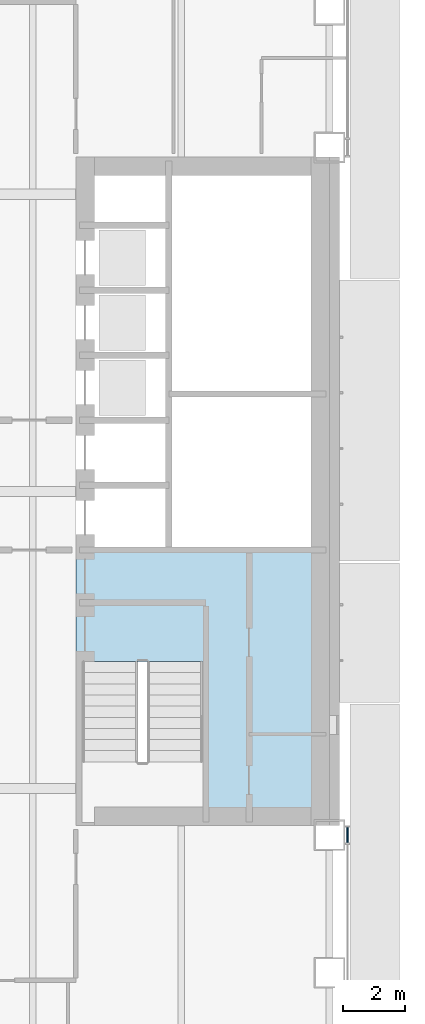
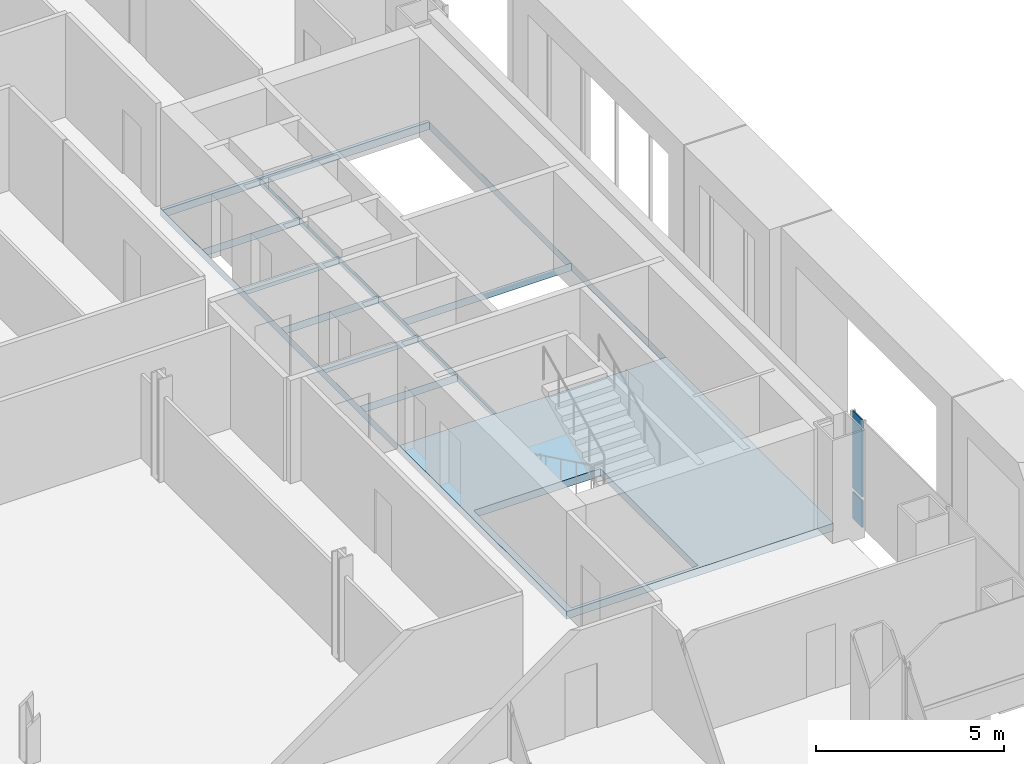
# One storey, part 13 of 25: 2 plates, 1 slab, 1 element without a shape of its own.
"""IFC4 building model written with IfcOpenShell, lengths in metres."""

from ifc_helpers import new_model, si_unit, direction, frame, origin, origin_2d, place, context, subcontext, project, spatial, polyline, rectangle, outline, extrude, material, layer, layer_set, type_object, element, aggregate, save


model = new_model("IFC4")

# Units and contexts
model_context = context("Model", 3, precision=1e-05, world=origin(), true_north=direction((0.0, 1.0)))
body_context = subcontext(model_context, "Body", "Model", "MODEL_VIEW")
ifc_project = project(units=[si_unit("LENGTHUNIT", "METRE"), si_unit("AREAUNIT", "SQUARE_METRE"), si_unit("VOLUMEUNIT", "CUBIC_METRE"), si_unit("PLANEANGLEUNIT", "RADIAN"), si_unit("MASSUNIT", "GRAM", prefix="KILO")], contexts=[model_context])

# Site, building, storey
site_placement = place(None, origin())
site = spatial("IfcSite", under=ifc_project, at=site_placement, CompositionType="ELEMENT")
building_placement = place(site_placement, origin())
building = spatial("IfcBuilding", under=site, at=building_placement, Name="Cobrizo Arcos Hotel Tower", CompositionType="ELEMENT")
storey_placement = place(building_placement, frame((0.0, 0.0, 46.0)))
storey = spatial("IfcBuildingStorey", under=building, at=storey_placement, Name="L09", CompositionType="ELEMENT", Elevation=46.0)

# Curtain wall, plates
ifc_material_1 = material(Name="Aluminium 6063-T6 anodised bronze", Category="aluminium")
curtain_wall_type = type_object("IfcCurtainWallType", Name="CW-A guest facade", PredefinedType="NOTDEFINED", material=ifc_material_1)
curtain_wall_placement = place(storey_placement, origin())
curtain_wall = element("IfcCurtainWall", 1, at=curtain_wall_placement, inside=storey, type_object=curtain_wall_type, Name="CW-A L09 E face", PredefinedType="NOTDEFINED")
ifc_material_2 = material(Name="Glass clear laminated low-e", Category="glass")
ifc_layer_1 = layer(ifc_material_2, 0.0400390625)
ifc_layer_set_1 = layer_set([ifc_layer_1], Name="CW-A glass panel")
plate_type_1 = type_object("IfcPlateType", Name="CW-A glass panel", PredefinedType="CURTAIN_PANEL", material=ifc_layer_set_1)
plate_1_placement = place(storey_placement, frame((24.574951171875, -11.109375, 0.990234375), z_axis=(0.0, 0.0, 1.0), x_axis=(0.0, 1.0, 0.0)))
plate_1 = element("IfcPlate", 2, at=plate_1_placement, type_object=plate_type_1, Name="CW-A glass panel 450", PredefinedType="CURTAIN_PANEL", context=body_context, shape_type="SweptSolid", body=[
    extrude(rectangle(XDim=0.498779296875, YDim=0.0400390625, at=origin_2d()), origin(), (0.0, 0.0, 1.0), 2.510009765625),
])
ifc_material_3 = material(Name="Aluminium composite panel pale metal", Category="aluminium")
ifc_layer_2 = layer(ifc_material_3, 0.0400390625)
ifc_layer_set_2 = layer_set([ifc_layer_2], Name="CW-A spandrel panel")
plate_type_2 = type_object("IfcPlateType", Name="CW-A spandrel panel", PredefinedType="CURTAIN_PANEL", material=ifc_layer_set_2)
plate_2_placement = place(storey_placement, frame((24.574951171875, -11.109375, 0.0), z_axis=(0.0, 0.0, 1.0), x_axis=(0.0, 1.0, 0.0)))
plate_2 = element("IfcPlate", 3, at=plate_2_placement, type_object=plate_type_2, Name="CW-A spandrel panel 450", PredefinedType="CURTAIN_PANEL", context=body_context, shape_type="SweptSolid", body=[
    extrude(rectangle(XDim=0.498779296875, YDim=0.0400390625, at=origin_2d()), origin(), (0.0, 0.0, 1.0), 0.8701171875),
])
aggregate(curtain_wall, [plate_2, plate_1])

# Slab
ifc_material_4 = material(Name="Concrete f'c 60 MPa", Category="concrete")
ifc_layer_3 = layer(ifc_material_4, 0.25)
ifc_layer_set_3 = layer_set([ifc_layer_3], Name="RC core floor slab 250 f'c 60")
slab_type = type_object("IfcSlabType", Name="RC core floor slab 250 f'c 60", PredefinedType="FLOOR", material=ifc_layer_set_3)
slab_placement = place(storey_placement, frame((0.0, 0.0, -0.25)))
element("IfcSlab", 4, at=slab_placement, inside=storey, type_object=slab_type, Name="Core floor slab CS3, east core, L09", PredefinedType="FLOOR", context=body_context, shape_type="SweptSolid", body=[
    extrude(outline(polyline([(15.800048828125, 10.800048828125), (24.0, 10.800048828125), (24.0, -10.800048828125), (15.800048828125, -10.800048828125), (15.800048828125, 10.800048828125)]), holes=[polyline([(19.89794921875, -10.697998046875), (19.89794921875, -5.501953125), (16.001953125, -5.501953125), (16.001953125, -10.697998046875), (19.89794921875, -10.697998046875)]), polyline([(18.798095703125, 0.197998046875), (15.802001953125, 0.197998046875), (15.802001953125, -1.89794921875), (18.798095703125, -1.89794921875), (18.798095703125, 0.197998046875)]), polyline([(23.998046875, 3.137939453125), (18.802001953125, 3.137939453125), (18.802001953125, -1.89794921875), (23.998046875, -1.89794921875), (23.998046875, 3.137939453125)]), polyline([(18.798095703125, 2.298095703125), (15.802001953125, 2.298095703125), (15.802001953125, 0.201904296875), (18.798095703125, 0.201904296875), (18.798095703125, 2.298095703125)]), polyline([(18.798095703125, 4.39794921875), (15.802001953125, 4.39794921875), (15.802001953125, 2.302001953125), (18.798095703125, 2.302001953125), (18.798095703125, 4.39794921875)]), polyline([(18.798095703125, 6.498046875), (15.802001953125, 6.498046875), (15.802001953125, 4.402099609375), (18.798095703125, 4.402099609375), (18.798095703125, 6.498046875)]), polyline([(23.998046875, 10.697998046875), (18.802001953125, 10.697998046875), (18.802001953125, 3.14208984375), (23.998046875, 3.14208984375), (23.998046875, 10.697998046875)]), polyline([(18.798095703125, 8.597900390625), (15.802001953125, 8.597900390625), (15.802001953125, 6.501953125), (18.798095703125, 6.501953125), (18.798095703125, 8.597900390625)]), polyline([(18.798095703125, 10.697998046875), (15.802001953125, 10.697998046875), (15.802001953125, 8.60205078125), (18.798095703125, 8.60205078125), (18.798095703125, 10.697998046875)])]), origin(), (0.0, 0.0, 1.0), 0.25),
])

save(model, "model.ifc")
